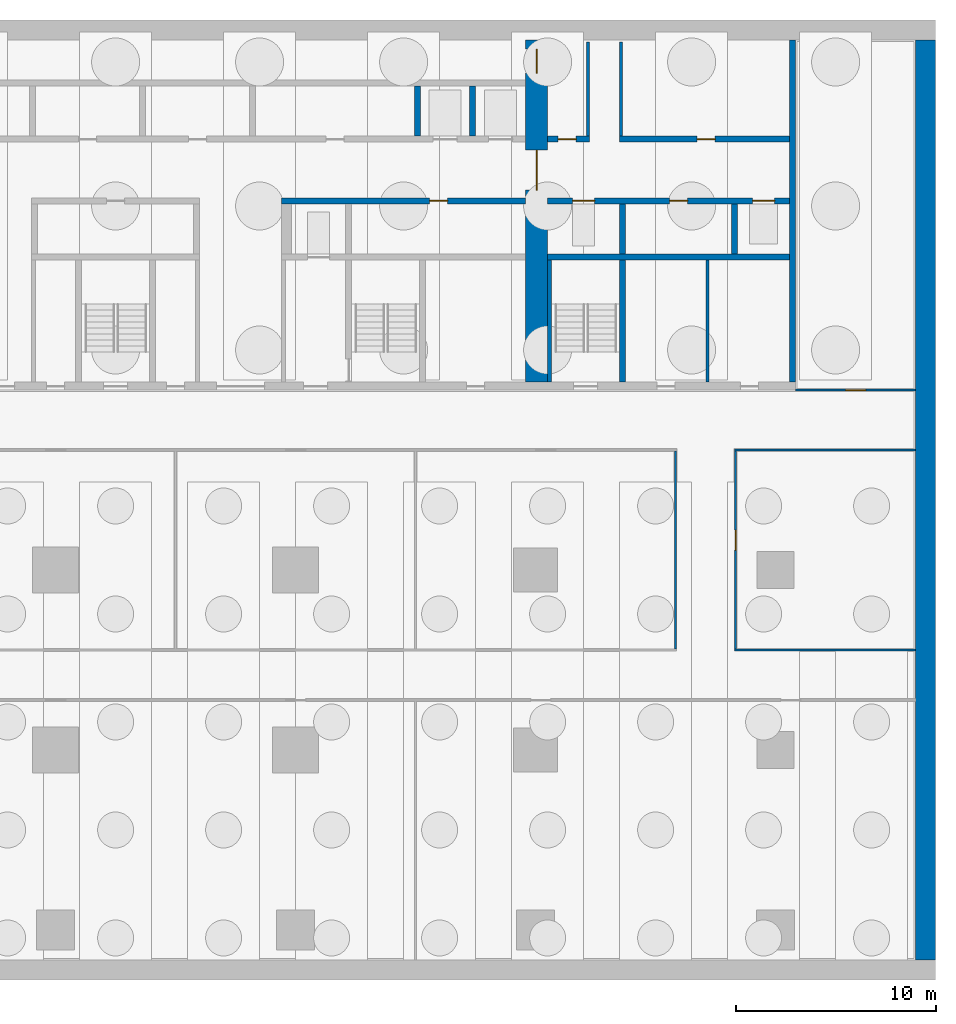
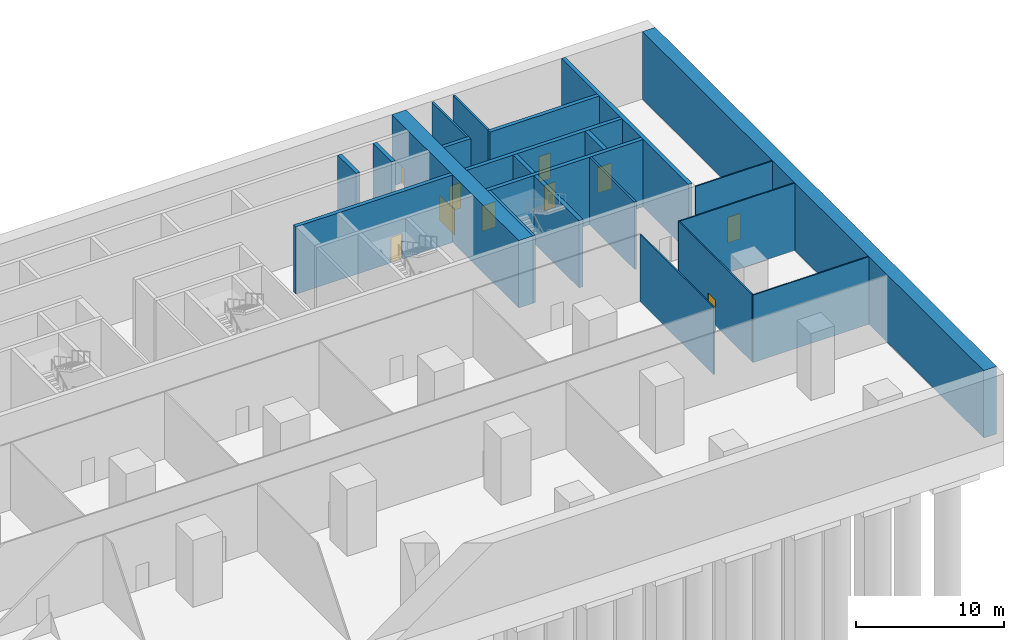
# One storey, part 7 of 11: 22 walls, 10 doors, 10 openings.
"""IFC4 building model written with IfcOpenShell, lengths in metres."""

from ifc_helpers import new_model, si_unit, direction, frame, frame_2d, origin, place, context, subcontext, project, spatial, rectangle, extrude, material, layer, layer_set, type_object, element, fill, save


model = new_model("IFC4")

# Units and contexts
model_context = context("Model", 3, precision=1e-05, world=origin(), true_north=direction((0.0, 1.0)))
body_context = subcontext(model_context, "Body", "Model", "MODEL_VIEW")
ifc_project = project(units=[si_unit("LENGTHUNIT", "METRE"), si_unit("AREAUNIT", "SQUARE_METRE"), si_unit("VOLUMEUNIT", "CUBIC_METRE"), si_unit("PLANEANGLEUNIT", "RADIAN"), si_unit("MASSUNIT", "GRAM", prefix="KILO")], contexts=[model_context])

# Site, building, storey
site_placement = place(None, origin())
site = spatial("IfcSite", under=ifc_project, at=site_placement, CompositionType="ELEMENT")
building_placement = place(site_placement, origin())
building = spatial("IfcBuilding", under=site, at=building_placement, Name="Calvaro Tower", CompositionType="ELEMENT")
storey_placement = place(building_placement, frame((0.0, 0.0, -12.0)))
storey = spatial("IfcBuildingStorey", under=building, at=storey_placement, Name="B2", CompositionType="ELEMENT", Elevation=-12.0)

# Walls
ifc_material_1 = material(Name="Blockwork partition", Category="masonry")
ifc_layer_1 = layer(ifc_material_1, 0.14990234375)
ifc_layer_set_1 = layer_set([ifc_layer_1], Name="Blockwork partition")
wall_type_1 = type_object("IfcWallType", Name="Core partition 150 EI 60", PredefinedType="PARTITIONING", material=ifc_layer_set_1)
wall_1_placement = place(storey_placement, frame((68.60009765625, 28.39990234375, 0.0), z_axis=(0.0, 0.0, 1.0), x_axis=(0.0, 1.0, 0.0)))
element("IfcWall", 1, at=wall_1_placement, inside=storey, type_object=wall_type_1, Name="Core partition", PredefinedType="PARTITIONING", context=body_context, shape_type="SweptSolid", body=[
    extrude(rectangle(XDim=6.10009765625, YDim=0.14990234375, at=frame_2d((3.050048828125, 0.0))), origin(), (0.0, 0.0, 1.0), 5.550048828125),
])
ifc_material_2 = material(Name="Blockwork partition", Category="masonry")
ifc_layer_2 = layer(ifc_material_2, 0.14990234375)
ifc_layer_set_2 = layer_set([ifc_layer_2], Name="Blockwork partition")
wall_type_2 = type_object("IfcWallType", Name="Core partition 150 REI 120", PredefinedType="PARTITIONING", material=ifc_layer_set_2)
for number, where, z_axis, x_axis, name in (
    (2, (62.625, 40.699951171875, 0.0), (0.0, 0.0, 1.0), (0.0, 1.0, 0.0), "Core partition"),
    (3, (64.27490234375, 40.699951171875, 0.0), (0.0, 0.0, 1.0), (0.0, 1.0, 0.0), "Core partition"),
):
    element("IfcWall", number, at=place(storey_placement, frame(where, z_axis=z_axis, x_axis=x_axis)), inside=storey, type_object=wall_type_2, Name=name, PredefinedType="PARTITIONING", context=body_context, shape_type="SweptSolid", body=[
        extrude(rectangle(XDim=4.699951171875, YDim=0.14990234375, at=frame_2d((2.35009765625, 0.0))), origin(), (0.0, 0.0, 1.0), 5.550048828125),
    ])

# Wall, opening, door
ifc_material_3 = material(Name="Blockwork partition", Category="masonry")
ifc_layer_3 = layer(ifc_material_3, 0.300048828125)
ifc_layer_set_3 = layer_set([ifc_layer_3], Name="Blockwork partition")
wall_type_3 = type_object("IfcWallType", Name="Core partition 300 REI 120", PredefinedType="PARTITIONING", material=ifc_layer_set_3)
wall_2_placement = place(storey_placement, frame((60.60009765625, 40.550048828125, 0.0), z_axis=(0.0, 0.0, 1.0), x_axis=(1.0, 0.0, 0.0)))
wall_2 = element("IfcWall", 4, at=wall_2_placement, inside=storey, type_object=wall_type_3, Name="Core partition", PredefinedType="PARTITIONING", context=body_context, shape_type="SweptSolid", body=[
    extrude(rectangle(XDim=2.099853515625, YDim=0.300048828125, at=frame_2d((1.0498046875, 0.0))), origin(), (0.0, 0.0, 1.0), 5.550048828125),
])
opening_1_placement = place(wall_2_placement, frame((0.52490234375, 0.0, 0.0)))
opening_1 = element("IfcOpeningElement", 5, at=opening_1_placement, cuts=wall_2, Name="Opening RD9E", PredefinedType="OPENING", context=body_context, shape_type="SweptSolid", body=[
    extrude(rectangle(XDim=0.89990234375, YDim=2.10009765625, at=frame_2d((0.449951171875, 1.050048828125))), frame((0.0, 0.159912109375, 0.0), z_axis=(0.0, -1.0, 0.0), x_axis=(1.0, 0.0, 0.0)), (0.0, 0.0, 1.0), 0.320068359375),
])
ifc_material_4 = material(Name="Steel door set", Category="steel")
door_type_1 = type_object("IfcDoorType", Name="Room door 900 FD60", OperationType="SINGLE_SWING_LEFT", PredefinedType="DOOR", material=ifc_material_4)
door_1_placement = place(opening_1_placement, origin())
door_1 = element("IfcDoor", 6, at=door_1_placement, inside=storey, type_object=door_type_1, Name="Room door", OperationType="SINGLE_SWING_RIGHT", OverallHeight=2.10009765625, OverallWidth=0.89990234375, PredefinedType="DOOR", context=body_context, shape_type="SweptSolid", body=[
    extrude(rectangle(XDim=0.89990234375, YDim=2.10009765625, at=frame_2d((0.449951171875, 1.050048828125))), frame((0.0, 0.02490234375, 0.0), z_axis=(0.0, -1.0, 0.0), x_axis=(1.0, 0.0, 0.0)), (0.0, 0.0, 1.0), 0.050048828125),
])
fill(opening_1, door_1)

wall_3_placement = place(storey_placement, frame((64.199951171875, 40.550048828125, 0.0), z_axis=(0.0, 0.0, 1.0), x_axis=(1.0, 0.0, 0.0)))
wall_3 = element("IfcWall", 7, at=wall_3_placement, inside=storey, type_object=wall_type_3, Name="Core partition", PredefinedType="PARTITIONING", context=body_context, shape_type="SweptSolid", body=[
    extrude(rectangle(XDim=8.5, YDim=0.300048828125, at=frame_2d((4.25, 0.0))), origin(), (0.0, 0.0, 1.0), 5.550048828125),
])
opening_2_placement = place(wall_3_placement, frame((3.875, 0.0, 0.0)))
opening_2 = element("IfcOpeningElement", 8, at=opening_2_placement, cuts=wall_3, Name="Opening RD9E", PredefinedType="OPENING", context=body_context, shape_type="SweptSolid", body=[
    extrude(rectangle(XDim=0.89990234375, YDim=2.10009765625, at=frame_2d((0.449951171875, 1.050048828125))), frame((0.0, 0.159912109375, 0.0), z_axis=(0.0, -1.0, 0.0), x_axis=(1.0, 0.0, 0.0)), (0.0, 0.0, 1.0), 0.320068359375),
])
door_2_placement = place(opening_2_placement, origin())
door_2 = element("IfcDoor", 9, at=door_2_placement, inside=storey, type_object=door_type_1, Name="Room door", OperationType="SINGLE_SWING_RIGHT", OverallHeight=2.10009765625, OverallWidth=0.89990234375, PredefinedType="DOOR", context=body_context, shape_type="SweptSolid", body=[
    extrude(rectangle(XDim=0.89990234375, YDim=2.10009765625, at=frame_2d((0.449951171875, 1.050048828125))), frame((0.0, 0.02490234375, 0.0), z_axis=(0.0, -1.0, 0.0), x_axis=(1.0, 0.0, 0.0)), (0.0, 0.0, 1.0), 0.050048828125),
])
fill(opening_2, door_2)

# Wall, openings, doors
ifc_material_5 = material(Name="Concrete C80/95", Category="concrete")
ifc_layer_4 = layer(ifc_material_5, 1.10009765625)
ifc_layer_set_4 = layer_set([ifc_layer_4], Name="Concrete C80/95")
wall_type_4 = type_object("IfcWallType", Name="Core wall C80/95 1100", PredefinedType="SHEAR", material=ifc_layer_set_4)
wall_4_placement = place(storey_placement, frame((60.050048828125, 28.39990234375, 0.0), z_axis=(0.0, 0.0, 1.0), x_axis=(0.0, 1.0, 0.0)))
wall_4 = element("IfcWall", 10, at=wall_4_placement, inside=storey, type_object=wall_type_4, Name="Core wall, cross shear wall", PredefinedType="SHEAR", context=body_context, shape_type="SweptSolid", body=[
    extrude(rectangle(XDim=17.10009765625, YDim=1.10009765625, at=frame_2d((8.550048828125, 0.0))), origin(), (0.0, 0.0, 1.0), 5.550048828125),
])
opening_3_placement = place(wall_4_placement, frame((9.60009765625, 0.0, 0.0)))
opening_3 = element("IfcOpeningElement", 11, at=opening_3_placement, cuts=wall_4, Name="Opening DD20D", PredefinedType="OPENING", context=body_context, shape_type="SweptSolid", body=[
    extrude(rectangle(XDim=2.0, YDim=2.10009765625, at=frame_2d((1.0, 1.050048828125))), frame((0.0, 0.56005859375, 0.0), z_axis=(0.0, -1.0, 0.0), x_axis=(1.0, 0.0, 0.0)), (0.0, 0.0, 1.0), 1.1201171875),
])
opening_4_placement = place(wall_4_placement, frame((15.449951171875, 0.0, 0.0)))
opening_4 = element("IfcOpeningElement", 12, at=opening_4_placement, cuts=wall_4, Name="Opening FD12C", PredefinedType="OPENING", context=body_context, shape_type="SweptSolid", body=[
    extrude(rectangle(XDim=1.199951171875, YDim=2.10009765625, at=frame_2d((0.60009765625, 1.050048828125))), frame((0.0, 0.56005859375, 0.0), z_axis=(0.0, -1.0, 0.0), x_axis=(1.0, 0.0, 0.0)), (0.0, 0.0, 1.0), 1.1201171875),
])
ifc_material_6 = material(Name="Steel door set", Category="steel")
door_type_2 = type_object("IfcDoorType", Name="Fire door 1200 FD30", OperationType="SINGLE_SWING_LEFT", PredefinedType="DOOR", material=ifc_material_6)
door_3_placement = place(opening_4_placement, origin())
door_3 = element("IfcDoor", 13, at=door_3_placement, inside=storey, type_object=door_type_2, Name="Fire door", OperationType="SINGLE_SWING_RIGHT", OverallHeight=2.10009765625, OverallWidth=1.199951171875, PredefinedType="DOOR", context=body_context, shape_type="SweptSolid", body=[
    extrude(rectangle(XDim=1.199951171875, YDim=2.10009765625, at=frame_2d((0.60009765625, 1.050048828125))), frame((0.0, 0.02490234375, 0.0), z_axis=(0.0, -1.0, 0.0), x_axis=(1.0, 0.0, 0.0)), (0.0, 0.0, 1.0), 0.050048828125),
])
fill(opening_4, door_3)
ifc_material_7 = material(Name="Steel door set", Category="steel")
door_type_3 = type_object("IfcDoorType", Name="Lobby double door 2000 FD30S", OperationType="DOUBLE_DOOR_SINGLE_SWING", PredefinedType="DOOR", material=ifc_material_7)
door_4_placement = place(opening_3_placement, origin())
door_4 = element("IfcDoor", 14, at=door_4_placement, inside=storey, type_object=door_type_3, Name="Lobby double door", OperationType="DOUBLE_DOOR_SINGLE_SWING", OverallHeight=2.10009765625, OverallWidth=2.0, PredefinedType="DOOR", context=body_context, shape_type="SweptSolid", body=[
    extrude(rectangle(XDim=2.0, YDim=2.10009765625, at=frame_2d((1.0, 1.050048828125))), frame((0.0, 0.02490234375, 0.0), z_axis=(0.0, -1.0, 0.0), x_axis=(1.0, 0.0, 0.0)), (0.0, 0.0, 1.0), 0.050048828125),
])
fill(opening_3, door_4)

# Walls
ifc_material_8 = material(Name="Concrete C80/95", Category="concrete")
ifc_layer_5 = layer(ifc_material_8, 0.199951171875)
ifc_layer_set_5 = layer_set([ifc_layer_5], Name="Concrete C80/95")
wall_type_5 = type_object("IfcWallType", Name="Core wall C80/95 200", PredefinedType="SHEAR", material=ifc_layer_set_5)
wall_5_placement = place(storey_placement, frame((60.699951171875, 28.39990234375, 0.0), z_axis=(0.0, 0.0, 1.0), x_axis=(0.0, 1.0, 0.0)))
element("IfcWall", 15, at=wall_5_placement, inside=storey, type_object=wall_type_5, Name="Core wall, stair enclosure", PredefinedType="SHEAR", context=body_context, shape_type="SweptSolid", body=[
    extrude(rectangle(XDim=6.10009765625, YDim=0.199951171875, at=frame_2d((3.050048828125, 0.0))), origin(), (0.0, 0.0, 1.0), 5.550048828125),
])
ifc_material_9 = material(Name="Concrete C80/95", Category="concrete")
ifc_layer_6 = layer(ifc_material_9, 0.300048828125)
ifc_layer_set_6 = layer_set([ifc_layer_6], Name="Concrete C80/95")
wall_type_6 = type_object("IfcWallType", Name="Core wall C80/95 300", PredefinedType="SHEAR", material=ifc_layer_set_6)
wall_6_placement = place(storey_placement, frame((72.85009765625, 28.39990234375, 0.0), z_axis=(0.0, 0.0, 1.0), x_axis=(0.0, 1.0, 0.0)))
element("IfcWall", 16, at=wall_6_placement, inside=storey, type_object=wall_type_6, Name="Core wall, boundary", PredefinedType="SHEAR", context=body_context, shape_type="SweptSolid", body=[
    extrude(rectangle(XDim=17.10009765625, YDim=0.300048828125, at=frame_2d((8.550048828125, 0.0))), origin(), (0.0, 0.0, 1.0), 5.550048828125),
])
wall_7_placement = place(storey_placement, frame((64.35009765625, 34.800048828125, 0.0), z_axis=(0.0, 0.0, 1.0), x_axis=(0.0, 1.0, 0.0)))
element("IfcWall", 17, at=wall_7_placement, inside=storey, type_object=wall_type_6, Name="Core wall, lift shaft", PredefinedType="SHEAR", context=body_context, shape_type="SweptSolid", body=[
    extrude(rectangle(XDim=2.5, YDim=0.300048828125, at=frame_2d((1.25, 0.0))), origin(), (0.0, 0.0, 1.0), 5.550048828125),
])
wall_8_placement = place(storey_placement, frame((64.35009765625, 28.39990234375, 0.0), z_axis=(0.0, 0.0, 1.0), x_axis=(0.0, 1.0, 0.0)))
element("IfcWall", 18, at=wall_8_placement, inside=storey, type_object=wall_type_6, Name="Core wall, stair enclosure", PredefinedType="SHEAR", context=body_context, shape_type="SweptSolid", body=[
    extrude(rectangle(XDim=6.10009765625, YDim=0.300048828125, at=frame_2d((3.050048828125, 0.0))), origin(), (0.0, 0.0, 1.0), 5.550048828125),
])
wall_9_placement = place(storey_placement, frame((60.60009765625, 34.64990234375, 0.0), z_axis=(0.0, 0.0, 1.0), x_axis=(1.0, 0.0, 0.0)))
element("IfcWall", 19, at=wall_9_placement, inside=storey, type_object=wall_type_6, Name="Core wall, lift shaft", PredefinedType="SHEAR", context=body_context, shape_type="SweptSolid", body=[
    extrude(rectangle(XDim=12.099853515625, YDim=0.300048828125, at=frame_2d((6.0498046875, 0.0))), origin(), (0.0, 0.0, 1.0), 5.550048828125),
])

# Wall, opening, door
wall_10_placement = place(storey_placement, frame((59.5, 37.449951171875, 0.0), z_axis=(0.0, 0.0, 1.0), x_axis=(-1.0, 0.0, 0.0)))
wall_10 = element("IfcWall", 20, at=wall_10_placement, inside=storey, type_object=wall_type_6, Name="Core wall, bay", PredefinedType="SHEAR", context=body_context, shape_type="SweptSolid", body=[
    extrude(rectangle(XDim=12.199951171875, YDim=0.300048828125, at=frame_2d((6.10009765625, 0.0))), origin(), (0.0, 0.0, 1.0), 5.550048828125),
])
opening_5_placement = place(wall_10_placement, frame((3.89990234375, 0.0, 0.0)))
opening_5 = element("IfcOpeningElement", 21, at=opening_5_placement, cuts=wall_10, Name="Opening RD9E", PredefinedType="OPENING", context=body_context, shape_type="SweptSolid", body=[
    extrude(rectangle(XDim=0.89990234375, YDim=2.10009765625, at=frame_2d((0.449951171875, 1.050048828125))), frame((0.0, 0.159912109375, 0.0), z_axis=(0.0, -1.0, 0.0), x_axis=(1.0, 0.0, 0.0)), (0.0, 0.0, 1.0), 0.320068359375),
])
door_5_placement = place(opening_5_placement, origin())
door_5 = element("IfcDoor", 22, at=door_5_placement, inside=storey, type_object=door_type_1, Name="Room door", OperationType="SINGLE_SWING_RIGHT", OverallHeight=2.10009765625, OverallWidth=0.89990234375, PredefinedType="DOOR", context=body_context, shape_type="SweptSolid", body=[
    extrude(rectangle(XDim=0.89990234375, YDim=2.10009765625, at=frame_2d((0.449951171875, 1.050048828125))), frame((0.0, 0.02490234375, 0.0), z_axis=(0.0, -1.0, 0.0), x_axis=(1.0, 0.0, 0.0)), (0.0, 0.0, 1.0), 0.050048828125),
])
fill(opening_5, door_5)

# Wall, openings, doors
wall_11_placement = place(storey_placement, frame((72.699951171875, 37.449951171875, 0.0), z_axis=(0.0, 0.0, 1.0), x_axis=(-1.0, 0.0, 0.0)))
wall_11 = element("IfcWall", 23, at=wall_11_placement, inside=storey, type_object=wall_type_6, Name="Core wall, bay", PredefinedType="SHEAR", context=body_context, shape_type="SweptSolid", body=[
    extrude(rectangle(XDim=12.099853515625, YDim=0.300048828125, at=frame_2d((6.0498046875, 0.0))), origin(), (0.0, 0.0, 1.0), 5.550048828125),
])
opening_6_placement = place(wall_11_placement, frame((5.10009765625, 0.0, 0.0)))
opening_6 = element("IfcOpeningElement", 24, at=opening_6_placement, cuts=wall_11, Name="Opening RD9E", PredefinedType="OPENING", context=body_context, shape_type="SweptSolid", body=[
    extrude(rectangle(XDim=0.89990234375, YDim=2.10009765625, at=frame_2d((0.449951171875, 1.050048828125))), frame((0.0, 0.159912109375, 0.0), z_axis=(0.0, -1.0, 0.0), x_axis=(1.0, 0.0, 0.0)), (0.0, 0.0, 1.0), 0.320068359375),
])
opening_7_placement = place(wall_11_placement, frame((9.75, 0.0, 0.0)))
opening_7 = element("IfcOpeningElement", 25, at=opening_7_placement, cuts=wall_11, Name="Opening FF3", PredefinedType="OPENING", context=body_context, shape_type="SweptSolid", body=[
    extrude(rectangle(XDim=1.10009765625, YDim=2.10009765625, at=frame_2d((0.550048828125, 1.050048828125))), frame((0.0, 0.159912109375, 0.0), z_axis=(0.0, -1.0, 0.0), x_axis=(1.0, 0.0, 0.0)), (0.0, 0.0, 1.0), 0.320068359375),
])
opening_8_placement = place(wall_11_placement, frame((0.75, 0.0, 0.0)))
opening_8 = element("IfcOpeningElement", 26, at=opening_8_placement, cuts=wall_11, Name="Opening CY1", PredefinedType="OPENING", context=body_context, shape_type="SweptSolid", body=[
    extrude(rectangle(XDim=1.10009765625, YDim=2.10009765625, at=frame_2d((0.550048828125, 1.050048828125))), frame((0.0, 0.159912109375, 0.0), z_axis=(0.0, -1.0, 0.0), x_axis=(1.0, 0.0, 0.0)), (0.0, 0.0, 1.0), 0.320068359375),
])
ifc_material_10 = material(Name="Stainless steel", Category="steel")
door_type_4 = type_object("IfcDoorType", Name="Landing door 1100 E 60", OperationType="SLIDING_TO_LEFT", PredefinedType="DOOR", material=ifc_material_10)
door_6_placement = place(opening_7_placement, origin())
door_6 = element("IfcDoor", 27, at=door_6_placement, inside=storey, type_object=door_type_4, Name="Landing door FF3", OperationType="SLIDING_TO_LEFT", OverallHeight=2.10009765625, OverallWidth=1.10009765625, PredefinedType="DOOR", context=body_context, shape_type="SweptSolid", body=[
    extrude(rectangle(XDim=1.10009765625, YDim=2.10009765625, at=frame_2d((0.550048828125, 1.050048828125))), frame((0.0, 0.02490234375, 0.0), z_axis=(0.0, -1.0, 0.0), x_axis=(1.0, 0.0, 0.0)), (0.0, 0.0, 1.0), 0.050048828125),
])
fill(opening_7, door_6)
door_7_placement = place(opening_8_placement, origin())
door_7 = element("IfcDoor", 28, at=door_7_placement, inside=storey, type_object=door_type_4, Name="Landing door CY1", OperationType="SLIDING_TO_LEFT", OverallHeight=2.10009765625, OverallWidth=1.10009765625, PredefinedType="DOOR", context=body_context, shape_type="SweptSolid", body=[
    extrude(rectangle(XDim=1.10009765625, YDim=2.10009765625, at=frame_2d((0.550048828125, 1.050048828125))), frame((0.0, 0.02490234375, 0.0), z_axis=(0.0, -1.0, 0.0), x_axis=(1.0, 0.0, 0.0)), (0.0, 0.0, 1.0), 0.050048828125),
])
fill(opening_8, door_7)
door_8_placement = place(opening_6_placement, origin())
door_8 = element("IfcDoor", 29, at=door_8_placement, inside=storey, type_object=door_type_1, Name="Room door", OperationType="SINGLE_SWING_LEFT", OverallHeight=2.10009765625, OverallWidth=0.89990234375, PredefinedType="DOOR", context=body_context, shape_type="SweptSolid", body=[
    extrude(rectangle(XDim=0.89990234375, YDim=2.10009765625, at=frame_2d((0.449951171875, 1.050048828125))), frame((0.0, 0.02490234375, 0.0), z_axis=(0.0, -1.0, 0.0), x_axis=(1.0, 0.0, 0.0)), (0.0, 0.0, 1.0), 0.050048828125),
])
fill(opening_6, door_8)

# Walls
for number, where, z_axis, x_axis, name in (
    (30, (54.10009765625, 40.699951171875, 0.0), (0.0, 0.0, 1.0), (0.0, 1.0, 0.0), "Core wall, lift shaft"),
    (31, (56.85009765625, 40.699951171875, 0.0), (0.0, 0.0, 1.0), (0.0, 1.0, 0.0), "Core wall, lift shaft"),
    (32, (69.949951171875, 34.800048828125, 0.0), (0.0, 0.0, 1.0), (0.0, 1.0, 0.0), "Core wall, lift shaft"),
):
    element("IfcWall", number, at=place(storey_placement, frame(where, z_axis=z_axis, x_axis=x_axis)), inside=storey, type_object=wall_type_6, Name=name, PredefinedType="SHEAR", context=body_context, shape_type="SweptSolid", body=[
        extrude(rectangle(XDim=2.5, YDim=0.300048828125, at=frame_2d((1.25, 0.0))), origin(), (0.0, 0.0, 1.0), 5.550048828125),
    ])
ifc_material_11 = material(Name="Plasterboard on steel studs", Category="steel")
ifc_layer_7 = layer(ifc_material_11, 0.10009765625)
ifc_layer_set_7 = layer_set([ifc_layer_7], Name="Plasterboard on steel studs")
wall_type_7 = type_object("IfcWallType", Name="Partition 100 EI 60", PredefinedType="PARTITIONING", material=ifc_layer_set_7)
for number, where, z_axis, x_axis, name in (
    (33, (69.949951171875, 15.0, 0.0), (0.0, 0.0, 1.0), (1.0, 0.0, 0.0), "Partition T01.W004"),
    (34, (69.949951171875, 25.0, 0.0), (0.0, 0.0, 1.0), (1.0, 0.0, 0.0), "Partition T01.W007"),
):
    element("IfcWall", number, at=place(storey_placement, frame(where, z_axis=z_axis, x_axis=x_axis)), inside=storey, type_object=wall_type_7, Name=name, PredefinedType="PARTITIONING", context=body_context, shape_type="SweptSolid", body=[
        extrude(rectangle(XDim=9.050048828125, YDim=0.10009765625, at=frame_2d((4.52490234375, 0.0))), origin(), (0.0, 0.0, 1.0), 5.550048828125),
    ])

# Wall, opening, door
wall_12_placement = place(storey_placement, frame((73.0, 28.0, 0.0), z_axis=(0.0, 0.0, 1.0), x_axis=(1.0, 0.0, 0.0)))
wall_12 = element("IfcWall", 35, at=wall_12_placement, inside=storey, type_object=wall_type_7, Name="Partition T01.W009", PredefinedType="PARTITIONING", context=body_context, shape_type="SweptSolid", body=[
    extrude(rectangle(XDim=6.0, YDim=0.10009765625, at=frame_2d((3.0, 0.0))), origin(), (0.0, 0.0, 1.0), 5.550048828125),
])
opening_9_placement = place(wall_12_placement, frame((2.5, 0.0, 0.0)))
opening_9 = element("IfcOpeningElement", 36, at=opening_9_placement, cuts=wall_12, Name="Opening T01.017", PredefinedType="OPENING", context=body_context, shape_type="SweptSolid", body=[
    extrude(rectangle(XDim=1.0, YDim=2.10009765625, at=frame_2d((0.5, 1.050048828125))), frame((0.0, 0.06005859375, 0.0), z_axis=(0.0, -1.0, 0.0), x_axis=(1.0, 0.0, 0.0)), (0.0, 0.0, 1.0), 0.1201171875),
])
ifc_material_12 = material(Name="Timber", Category="wood")
door_type_5 = type_object("IfcDoorType", Name="Internal single door 1000 x 2100 FD30", OperationType="SINGLE_SWING_LEFT", PredefinedType="DOOR", material=ifc_material_12)
door_9_placement = place(opening_9_placement, origin())
door_9 = element("IfcDoor", 37, at=door_9_placement, inside=storey, type_object=door_type_5, Name="Door T01.017", OperationType="SINGLE_SWING_LEFT", OverallHeight=2.10009765625, OverallWidth=1.0, PredefinedType="DOOR", context=body_context, shape_type="SweptSolid", body=[
    extrude(rectangle(XDim=1.0, YDim=2.10009765625, at=frame_2d((0.5, 1.050048828125))), frame((0.0, 0.02490234375, 0.0), z_axis=(0.0, -1.0, 0.0), x_axis=(1.0, 0.0, 0.0)), (0.0, 0.0, 1.0), 0.050048828125),
])
fill(opening_9, door_9)

wall_13_placement = place(storey_placement, frame((70.0, 15.050048828125, 0.0), z_axis=(0.0, 0.0, 1.0), x_axis=(0.0, 1.0, 0.0)))
wall_13 = element("IfcWall", 38, at=wall_13_placement, inside=storey, type_object=wall_type_7, Name="Partition T01.W021", PredefinedType="PARTITIONING", context=body_context, shape_type="SweptSolid", body=[
    extrude(rectangle(XDim=9.89990234375, YDim=0.10009765625, at=frame_2d((4.949951171875, 0.0))), origin(), (0.0, 0.0, 1.0), 5.550048828125),
])
opening_10_placement = place(wall_13_placement, frame((4.949951171875, 0.0, 0.0)))
opening_10 = element("IfcOpeningElement", 39, at=opening_10_placement, cuts=wall_13, Name="Opening T01.015", PredefinedType="OPENING", context=body_context, shape_type="SweptSolid", body=[
    extrude(rectangle(XDim=1.0, YDim=2.10009765625, at=frame_2d((0.5, 1.050048828125))), frame((0.0, 0.06005859375, 0.0), z_axis=(0.0, -1.0, 0.0), x_axis=(1.0, 0.0, 0.0)), (0.0, 0.0, 1.0), 0.1201171875),
])
door_10_placement = place(opening_10_placement, origin())
door_10 = element("IfcDoor", 40, at=door_10_placement, inside=storey, type_object=door_type_5, Name="Door T01.015", OperationType="SINGLE_SWING_RIGHT", OverallHeight=2.10009765625, OverallWidth=1.0, PredefinedType="DOOR", context=body_context, shape_type="SweptSolid", body=[
    extrude(rectangle(XDim=1.0, YDim=2.10009765625, at=frame_2d((0.5, 1.050048828125))), frame((0.0, 0.02490234375, 0.0), z_axis=(0.0, -1.0, 0.0), x_axis=(1.0, 0.0, 0.0)), (0.0, 0.0, 1.0), 0.050048828125),
])
fill(opening_10, door_10)

# Walls
ifc_material_13 = material(Name="Plasterboard on steel studs", Category="steel")
ifc_layer_8 = layer(ifc_material_13, 0.10009765625)
ifc_layer_set_8 = layer_set([ifc_layer_8], Name="Plasterboard on steel studs")
wall_type_8 = type_object("IfcWallType", Name="Partition 100 REI 120", PredefinedType="PARTITIONING", material=ifc_layer_set_8)
wall_14_placement = place(storey_placement, frame((67.0, 15.050048828125, 0.0), z_axis=(0.0, 0.0, 1.0), x_axis=(0.0, 1.0, 0.0)))
element("IfcWall", 41, at=wall_14_placement, inside=storey, type_object=wall_type_8, Name="Partition T01.W020", PredefinedType="PARTITIONING", context=body_context, shape_type="SweptSolid", body=[
    extrude(rectangle(XDim=9.89990234375, YDim=0.10009765625, at=frame_2d((4.949951171875, 0.0))), origin(), (0.0, 0.0, 1.0), 5.550048828125),
])
ifc_material_14 = material(Name="Concrete C32/40", Category="concrete")
ifc_layer_9 = layer(ifc_material_14, 1.0)
ifc_layer_set_9 = layer_set([ifc_layer_9], Name="Concrete C32/40")
wall_type_9 = type_object("IfcWallType", Name="Retaining wall 1000 C32/40", PredefinedType="SOLIDWALL", material=ifc_layer_set_9)
wall_15_placement = place(storey_placement, frame((79.5, -0.5, 0.0), z_axis=(0.0, 0.0, 1.0), x_axis=(0.0, 1.0, 0.0)))
element("IfcWall", 42, at=wall_15_placement, inside=storey, type_object=wall_type_9, Name="Basement wall", PredefinedType="SOLIDWALL", context=body_context, shape_type="SweptSolid", body=[
    extrude(rectangle(XDim=46.0, YDim=1.0, at=frame_2d((23.0, 0.0))), origin(), (0.0, 0.0, 1.0), 5.550048828125),
])

save(model, "model.ifc")
